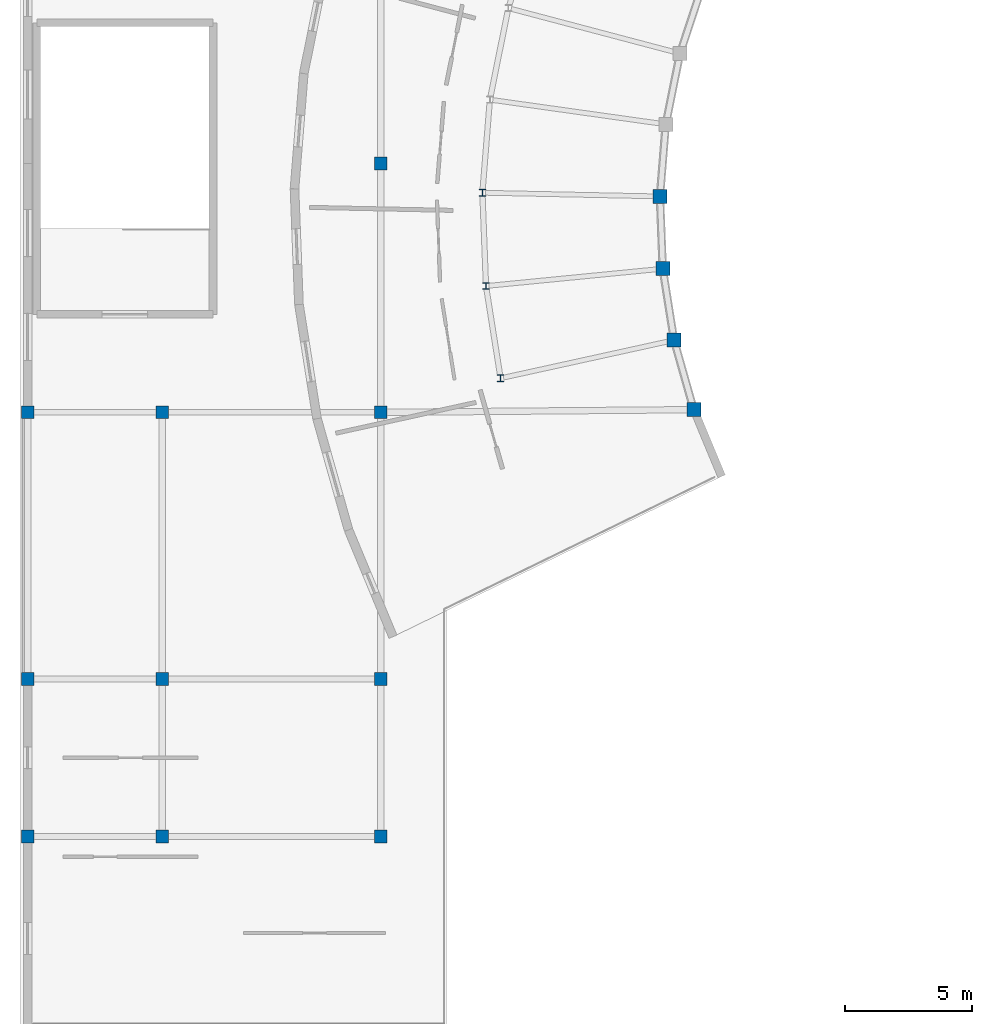
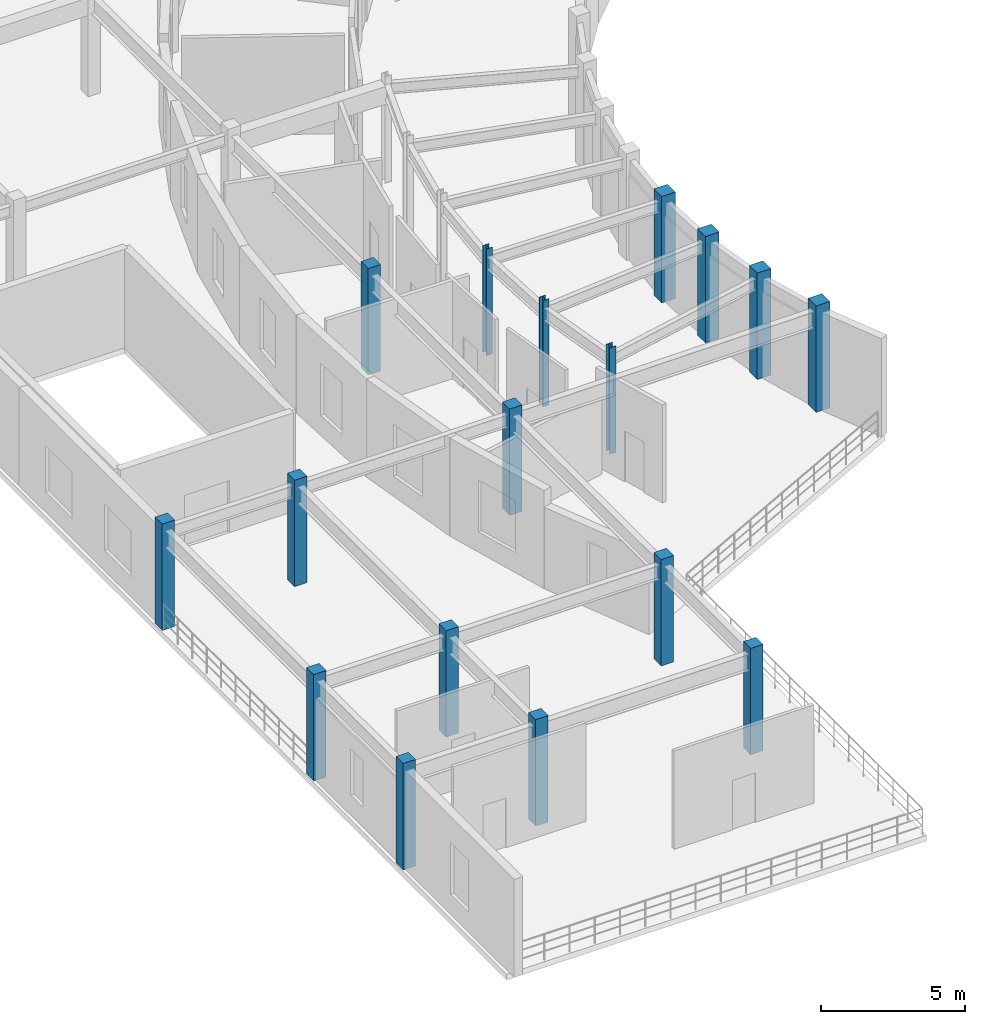
# One storey, part 1 of 60: 17 columns.
"""IFC4 building model written with IfcOpenShell, lengths in metres."""

import ifcopenshell
import ifcopenshell.guid

model = None  # the IFC model being written
_history = None  # IfcOwnerHistory: only IFC2X3 demands one
_inside = {}  # id of a spatial element -> (the spatial element, [elements in it])
_under = {}  # id of a project, library or spatial element -> (it, [spatial elements below it])
_declared = {}  # id of a project -> (the project, [libraries it declares])
_typed = {}  # id of a type object -> (the type object, [elements of that type])
_made_of = {}  # id of a material, layer set ... -> (it, [elements and type objects made of it])


def new_model(schema):
    """Start an empty IFC model of exactly this schema.

    Asked for "IFC4X3", IfcOpenShell would pick the latest addendum, in which some entities
    have other attributes; the version numbers below select the first issue.
    IFC2X3 requires an IfcOwnerHistory on every rooted entity: one is made here for all.
    """
    global model, _history
    if schema == "IFC4X3":
        model = ifcopenshell.file(schema_version=(4, 3, 0, 0))
    else:
        model = ifcopenshell.file(schema=schema)
    _inside.clear()
    _under.clear()
    _declared.clear()
    _typed.clear()
    _made_of.clear()
    _history = None
    if model.schema == "IFC2X3":
        org = make("IfcOrganization", Name="unknown")
        user = make(
            "IfcPersonAndOrganization",
            ThePerson=make("IfcPerson", FamilyName="unknown"),
            TheOrganization=org,
        )
        app = make(
            "IfcApplication",
            ApplicationDeveloper=org,
            Version="unknown",
            ApplicationFullName="unknown",
            ApplicationIdentifier="unknown",
        )
        _history = make(
            "IfcOwnerHistory",
            OwningUser=user,
            OwningApplication=app,
            ChangeAction="ADDED",
            CreationDate=0,
        )
    return model


def make(cls, **values):
    """One entity of the class cls with the attributes given. An attribute that is None is left unset."""
    return model.create_entity(
        cls, **{name: value for name, value in values.items() if value is not None}
    )


def rooted(cls, **values):
    """An entity with a GlobalId (a new one), such as an element, a storey or a relation."""
    return make(cls, GlobalId=ifcopenshell.guid.new(), OwnerHistory=_history, **values)


def si_unit(unit_type, name, prefix=None):
    """IfcSIUnit, for example si_unit("LENGTHUNIT", "METRE", prefix="MILLI")."""
    return make("IfcSIUnit", UnitType=unit_type, Prefix=prefix, Name=name)


def assignment(units):
    """IfcUnitAssignment: the units of a project."""
    return None if units is None else make("IfcUnitAssignment", Units=units)


def point(xyz):
    """IfcCartesianPoint."""
    return None if xyz is None else make("IfcCartesianPoint", Coordinates=xyz)


def direction(xyz):
    """IfcDirection."""
    return None if xyz is None else make("IfcDirection", DirectionRatios=xyz)


def frame(location, z_axis=None, x_axis=None):
    """IfcAxis2Placement3D, a coordinate frame: its origin and axes. An axis left out is left unset."""
    return make(
        "IfcAxis2Placement3D",
        Location=point(location),
        Axis=direction(z_axis),
        RefDirection=direction(x_axis),
    )


def frame_2d(location, x_axis=None):
    """IfcAxis2Placement2D, a coordinate frame in the plane: its origin and x axis."""
    return make(
        "IfcAxis2Placement2D", Location=point(location), RefDirection=direction(x_axis)
    )


def origin():
    """The frame at (0, 0, 0) with its axes left unset."""
    return frame((0.0, 0.0, 0.0))


def origin_2d():
    """The frame at (0, 0) in the plane with its x axis left unset."""
    return frame_2d((0.0, 0.0))


def place(relative_to, where):
    """IfcLocalPlacement: puts the frame where relative to a parent placement (None: the world)."""
    return make(
        "IfcLocalPlacement", PlacementRelTo=relative_to, RelativePlacement=where
    )


def context(
    kind, dimensions, precision=None, world=None, true_north=None, identifier=None
):
    """IfcGeometricRepresentationContext, for example the 3D "Model" context."""
    return make(
        "IfcGeometricRepresentationContext",
        ContextIdentifier=identifier,
        ContextType=kind,
        CoordinateSpaceDimension=dimensions,
        Precision=precision,
        WorldCoordinateSystem=world,
        TrueNorth=true_north,
    )


def subcontext(parent, identifier, kind, view, scale=None):
    """IfcGeometricRepresentationSubContext, for example "Body" below "Model"."""
    return make(
        "IfcGeometricRepresentationSubContext",
        ContextIdentifier=identifier,
        ContextType=kind,
        ParentContext=parent,
        TargetScale=scale,
        TargetView=view,
    )


def project(units=None, contexts=None):
    """IfcProject with its units and contexts."""
    return rooted(
        "IfcProject",
        Name="project",
        RepresentationContexts=contexts,
        UnitsInContext=assignment(units),
    )


def spatial(cls, under=None, at=None, **own):
    """A site, building, storey or space (cls), placed at a placement, below another one or the project."""
    s = rooted(cls, ObjectPlacement=at, **own)
    if under is not None:
        _under.setdefault(under.id(), (under, []))[1].append(s)
    return s


def profile(cls, at=None, kind="AREA", **sizes):
    """A parametric profile (cls). Its sizes go by their IFC names, for example OverallWidth=200.0."""
    return make(cls, ProfileType=kind, Position=at, **sizes)


def rectangle(**sizes):
    """IfcRectangleProfileDef."""
    return profile("IfcRectangleProfileDef", **sizes)


def i_section(**sizes):
    """IfcIShapeProfileDef."""
    return profile("IfcIShapeProfileDef", **sizes)


def extrude(swept, where, along, depth):
    """IfcExtrudedAreaSolid: the profile swept, set in the frame where, extruded along a direction by depth."""
    return make(
        "IfcExtrudedAreaSolid",
        SweptArea=swept,
        Position=where,
        ExtrudedDirection=direction(along),
        Depth=depth,
    )


def shape(context_of_items, identifier, shape_type, items):
    """IfcShapeRepresentation: the items that make up one representation, for example the "Body"."""
    return make(
        "IfcShapeRepresentation",
        ContextOfItems=context_of_items,
        RepresentationIdentifier=identifier,
        RepresentationType=shape_type,
        Items=items,
    )


def material(Name=None, Category=None):
    """IfcMaterial."""
    return make("IfcMaterial", Name=Name, Category=Category)


def material_profile(
    of_material, cross_section, Name=None, Category=None, Priority=None
):
    """IfcMaterialProfile: a cross section and its material."""
    return make(
        "IfcMaterialProfile",
        Name=Name,
        Material=of_material,
        Profile=cross_section,
        Priority=Priority,
        Category=Category,
    )


def profile_set(profiles, Name=None, composite=None):
    """IfcMaterialProfileSet."""
    return make(
        "IfcMaterialProfileSet",
        Name=Name,
        MaterialProfiles=profiles,
        CompositeProfile=composite,
    )


def made_of(thing, what):
    """Note that an element or type object is made of a material, layer set ...; save() writes the relation."""
    if what is not None:
        _made_of.setdefault(what.id(), (what, []))[1].append(thing)
    return thing


def type_object(cls, material=None, **own):
    """A type object (cls), such as IfcWallType, which elements share."""
    return made_of(rooted(cls, **own), material)


def element(
    cls,
    number,
    at=None,
    inside=None,
    cuts=None,
    type_object=None,
    material=None,
    context=None,
    identifier="Body",
    shape_type=None,
    held_by="IfcProductDefinitionShape",
    body=None,
    shapes=None,
    **own,
):
    """One element of the class cls, such as IfcWall. Its Tag is "e" and its number.

    at: its placement. inside: the storey or other place that contains it. cuts: it is an
    opening in that element (IfcRelVoidsElement). A single representation is given by context,
    identifier, shape_type and body (its items); several are given by shapes. held_by: the class
    of the entity that holds the representations. save() writes the other relations.
    """
    e = rooted(cls, Tag="e%d" % number, ObjectPlacement=at, **own)
    if body is not None:
        shapes = [shape(context, identifier, shape_type, body)]
    if shapes is not None:
        e.Representation = make(held_by, Representations=shapes)
    if inside is not None:
        _inside.setdefault(inside.id(), (inside, []))[1].append(e)
    if cuts is not None:
        rooted(
            "IfcRelVoidsElement", RelatingBuildingElement=cuts, RelatedOpeningElement=e
        )
    if type_object is not None:
        _typed.setdefault(type_object.id(), (type_object, []))[1].append(e)
    return made_of(e, material)


def aggregate(whole, parts):
    """IfcRelAggregates: a whole, such as a stair, and the parts it consists of."""
    return rooted("IfcRelAggregates", RelatingObject=whole, RelatedObjects=parts)


def save(model, path):
    """Write the relations noted so far, then the file.

    IfcRelAggregates (storeys below a building ...), IfcRelContainedInSpatialStructure (elements
    in a storey), IfcRelDefinesByType, IfcRelAssociatesMaterial and IfcRelDeclares: one each for
    every whole, place, type object, material and project.
    """
    for whole, parts in _under.values():
        aggregate(whole, parts)
    for where, things in _inside.values():
        rooted(
            "IfcRelContainedInSpatialStructure",
            RelatedElements=things,
            RelatingStructure=where,
        )
    for kind, things in _typed.values():
        rooted("IfcRelDefinesByType", RelatedObjects=things, RelatingType=kind)
    for what, things in _made_of.values():
        rooted("IfcRelAssociatesMaterial", RelatedObjects=things, RelatingMaterial=what)
    for by, libraries in _declared.values():
        rooted("IfcRelDeclares", RelatingContext=by, RelatedDefinitions=libraries)
    model.write(path)


model = new_model("IFC4")

# Units and contexts
model_context = context("Model", 3, precision=1e-05, world=origin(), true_north=direction((0.0, 1.0)))
body_context = subcontext(model_context, "Body", "Model", "MODEL_VIEW")
ifc_project = project(units=[si_unit("LENGTHUNIT", "METRE"), si_unit("AREAUNIT", "SQUARE_METRE"), si_unit("VOLUMEUNIT", "CUBIC_METRE"), si_unit("PLANEANGLEUNIT", "RADIAN"), si_unit("MASSUNIT", "GRAM", prefix="KILO")], contexts=[model_context])

# Site, building, storey
site_placement = place(None, origin())
site = spatial("IfcSite", under=ifc_project, at=site_placement, CompositionType="ELEMENT")
building_placement = place(site_placement, origin())
building = spatial("IfcBuilding", under=site, at=building_placement, Name="Cinderbank Siding Concert Hall", CompositionType="ELEMENT")
storey_placement = place(building_placement, frame((0.0, 0.0, 14.699951171875)))
storey = spatial("IfcBuildingStorey", under=building, at=storey_placement, Name="L04", CompositionType="ELEMENT", Elevation=14.699951171875)

# Columns
ifc_material_1 = material(Name="Reinforced concrete AS 3600 N50 (50 MPa)", Category="concrete")
ifc_material_profile_1 = material_profile(ifc_material_1, rectangle(XDim=0.5, YDim=0.5, at=origin_2d()), Name="RC-COL-500x500", Category="LoadBearing")
ifc_profile_set_1 = profile_set([ifc_material_profile_1], Name="Reinforced concrete AS 3600 N50 (50 MPa)")
column_type_1 = type_object("IfcColumnType", Name="C-RC500 RC-COL-500x500", PredefinedType="COLUMN", material=ifc_profile_set_1)
for number, where, z_axis, x_axis, name in (
    (1, (7.10009765625, 43.300048828125, 0.0), (0.0, 0.0, 1.0), (1.0, 0.0, 0.0), "L04 Column COL-WL-1-1"),
    (2, (7.10009765625, 49.5, 0.0), (0.0, 0.0, 1.0), (1.0, 0.0, 0.0), "L04 Column COL-WL-1-2"),
    (3, (7.10009765625, 60.0, 0.0), (0.0, 0.0, 1.0), (1.0, 0.0, 0.0), "L04 Column COL-WL-1-3"),
    (4, (12.39990234375, 43.300048828125, 0.0), (0.0, 0.0, 1.0), (1.0, 0.0, 0.0), "L04 Column COL-WL-2-1"),
    (5, (12.39990234375, 49.5, 0.0), (0.0, 0.0, 1.0), (1.0, 0.0, 0.0), "L04 Column COL-WL-2-2"),
    (6, (12.39990234375, 60.0, 0.0), (0.0, 0.0, 1.0), (1.0, 0.0, 0.0), "L04 Column COL-WL-2-3"),
    (7, (21.0, 43.300048828125, 0.0), (0.0, 0.0, 1.0), (1.0, 0.0, 0.0), "L04 Column COL-WL-3-1"),
    (8, (21.0, 49.5, 0.0), (0.0, 0.0, 1.0), (1.0, 0.0, 0.0), "L04 Column COL-WL-3-2"),
    (9, (21.0, 60.0, 0.0), (0.0, 0.0, 1.0), (1.0, 0.0, 0.0), "L04 Column COL-WL-3-3"),
    (10, (21.0, 69.800048828125, 0.0), (0.0, 0.0, 1.0), (1.0, 0.0, 0.0), "L04 Column COL-WL-3-4"),
):
    element("IfcColumn", number, at=place(storey_placement, frame(where, z_axis=z_axis, x_axis=x_axis)), inside=storey, type_object=column_type_1, Name=name, PredefinedType="COLUMN", context=body_context, shape_type="SweptSolid", body=[
        extrude(rectangle(XDim=0.5, YDim=0.5, at=origin_2d()), origin(), (0.0, 0.0, 1.0), 4.5),
    ])
ifc_material_profile_2 = material_profile(ifc_material_1, rectangle(XDim=0.550048828125, YDim=0.550048828125, at=origin_2d()), Name="RC-COL-550x550", Category="LoadBearing")
ifc_profile_set_2 = profile_set([ifc_material_profile_2], Name="Reinforced concrete AS 3600 N50 (50 MPa)")
column_type_2 = type_object("IfcColumnType", Name="C-RC550 RC-COL-550x550", PredefinedType="COLUMN", material=ifc_profile_set_2)
for number, where, z_axis, x_axis, name in (
    (11, (32.0048828125, 68.5029296875, 0.0), (0.0, 0.0, 1.0), (1.0, 0.0, 0.0), "L04 Column COL-WIN-12"),
    (12, (32.114013671875, 65.657958984375, 0.0), (0.0, 0.0, 1.0), (1.0, 0.0, 0.0), "L04 Column COL-WIN-13"),
    (13, (32.56005859375, 62.845947265625, 0.0), (0.0, 0.0, 1.0), (1.0, 0.0, 0.0), "L04 Column COL-WIN-14"),
    (14, (33.3349609375, 60.10693359375, 0.0), (0.0, 0.0, 1.0), (1.0, 0.0, 0.0), "L04 Column COL-WIN-15"),
):
    element("IfcColumn", number, at=place(storey_placement, frame(where, z_axis=z_axis, x_axis=x_axis)), inside=storey, type_object=column_type_2, Name=name, PredefinedType="COLUMN", context=body_context, shape_type="SweptSolid", body=[
        extrude(rectangle(XDim=0.550048828125, YDim=0.550048828125, at=origin_2d()), origin(), (0.0, 0.0, 1.0), 4.5),
    ])
ifc_material_2 = material(Name="Structural steel AS/NZS 3679.1 Grade 350 (340 MPa)", Category="steel")
ifc_material_profile_3 = material_profile(ifc_material_2, i_section(OverallWidth=0.256103515625, OverallDepth=0.260009765625, WebThickness=0.010498046875, FlangeThickness=0.017333984375, at=origin_2d()), Name="250UC89.5", Category="LoadBearing")
ifc_profile_set_3 = profile_set([ifc_material_profile_3], Name="Structural steel AS/NZS 3679.1 Grade 350 (340 MPa)")
column_type_3 = type_object("IfcColumnType", Name="C-UC250H 250UC89.5", PredefinedType="COLUMN", material=ifc_profile_set_3)
for number, where, z_axis, x_axis, name in (
    (15, (25.007080078125, 68.64892578125, 0.0), (0.0, 0.0, 1.0), (1.0, 0.0, 0.0), "L04 Column COL-WMID-12"),
    (16, (25.14794921875, 64.97509765625, 0.0), (0.0, 0.0, 1.0), (1.0, 0.0, 0.0), "L04 Column COL-WMID-13"),
    (17, (25.722900390625, 61.343017578125, 0.0), (0.0, 0.0, 1.0), (1.0, 0.0, 0.0), "L04 Column COL-WMID-14"),
):
    element("IfcColumn", number, at=place(storey_placement, frame(where, z_axis=z_axis, x_axis=x_axis)), inside=storey, type_object=column_type_3, Name=name, PredefinedType="COLUMN", context=body_context, shape_type="SweptSolid", body=[
        extrude(i_section(OverallWidth=0.256103515625, OverallDepth=0.260009765625, WebThickness=0.010498046875, FlangeThickness=0.017333984375, at=origin_2d()), origin(), (0.0, 0.0, 1.0), 4.5),
    ])

save(model, "model.ifc")
